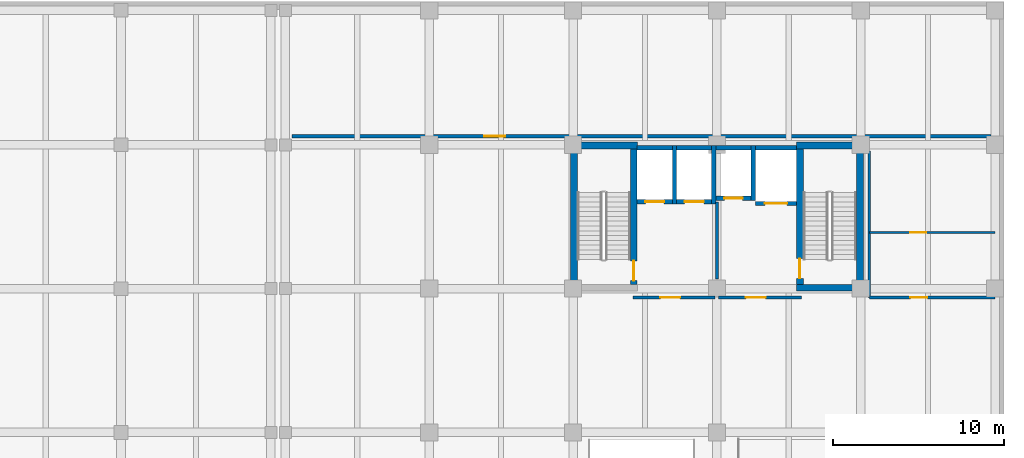
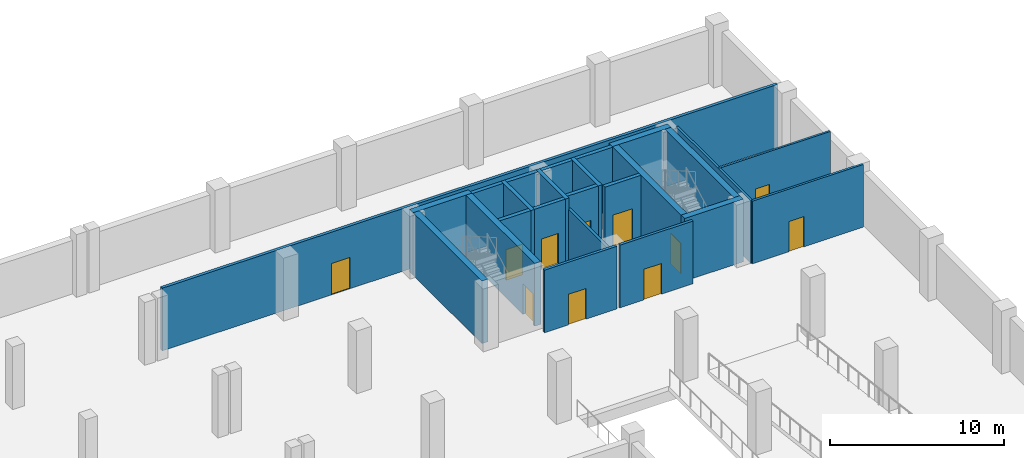
# One storey, part 13 of 17: 25 walls, 11 doors, 11 openings.
"""IFC4 building model written with IfcOpenShell, lengths in metres."""

from ifc_helpers import new_model, si_unit, direction, frame, frame_2d, origin, place, context, subcontext, project, spatial, rectangle, extrude, material, layer, layer_set, type_object, element, fill, save


model = new_model("IFC4")

# Units and contexts
model_context = context("Model", 3, precision=1e-05, world=origin(), true_north=direction((0.0, 1.0)))
body_context = subcontext(model_context, "Body", "Model", "MODEL_VIEW")
ifc_project = project(units=[si_unit("LENGTHUNIT", "METRE"), si_unit("AREAUNIT", "SQUARE_METRE"), si_unit("VOLUMEUNIT", "CUBIC_METRE"), si_unit("PLANEANGLEUNIT", "RADIAN"), si_unit("MASSUNIT", "GRAM", prefix="KILO")], contexts=[model_context])

# Site, building, storey
site_placement = place(None, origin())
site = spatial("IfcSite", under=ifc_project, at=site_placement, CompositionType="ELEMENT")
building_placement = place(site_placement, origin())
building = spatial("IfcBuilding", under=site, at=building_placement, Name="Brinegate Botanical Conservatory", CompositionType="ELEMENT")
storey_placement = place(building_placement, frame((0.0, 0.0, -4.800048828125)))
storey = spatial("IfcBuildingStorey", under=building, at=storey_placement, Name="B1", CompositionType="ELEMENT", Elevation=-4.800048828125)

# Wall, opening, door
ifc_material_1 = material(Name="Gypsum-clad steel-stud partition", Category="steel")
ifc_layer_1 = layer(ifc_material_1, 0.135009765625, Name="Gypsum-clad steel-stud partition", Category="steel")
ifc_layer_set_1 = layer_set([ifc_layer_1], Name="Gypsum-clad steel-stud partition")
wall_type_1 = type_object("IfcWallType", Name="Wall_PW-135", PredefinedType="PARTITIONING", material=ifc_layer_set_1)
wall_1_placement = place(storey_placement, frame((156.10009765625, 98.47998046875, 0.0), z_axis=(0.0, 0.0, 1.0), x_axis=(1.0, 0.0, 0.0)))
wall_1 = element("IfcWall", 1, at=wall_1_placement, inside=storey, type_object=wall_type_1, Name="Interior partition P-B1-WCD", PredefinedType="PARTITIONING", context=body_context, shape_type="SweptSolid", body=[
    extrude(rectangle(XDim=7.349853515625, YDim=0.135009765625, at=frame_2d((3.6748046875, 0.0))), origin(), (0.0, 0.0, 1.0), 4.39501953125),
])
opening_1_placement = place(wall_1_placement, frame((2.39990234375, 0.0, 0.0)))
opening_1 = element("IfcOpeningElement", 2, at=opening_1_placement, cuts=wall_1, Name="Opening DR-04", PredefinedType="OPENING", context=body_context, shape_type="SweptSolid", body=[
    extrude(rectangle(XDim=0.919921875, YDim=2.10009765625, at=frame_2d((0.4599609375, 1.050048828125))), frame((0.0, 0.077392578125, 0.0), z_axis=(0.0, -1.0, 0.0), x_axis=(1.0, 0.0, 0.0)), (0.0, 0.0, 1.0), 0.155029296875),
])
ifc_material_2 = material(Name="Moisture-resistant laminate timber leaf", Category="wood")
door_type_1 = type_object("IfcDoorType", Name="Door_DR-04", OperationType="NOTDEFINED", PredefinedType="DOOR", material=ifc_material_2)
door_1_placement = place(opening_1_placement, origin())
door_1 = element("IfcDoor", 3, at=door_1_placement, inside=storey, type_object=door_type_1, Name="DR-P-B1-WCD-1", OperationType="SINGLE_SWING_RIGHT", OverallHeight=2.10009765625, OverallWidth=0.919921875, PredefinedType="DOOR", context=body_context, shape_type="SweptSolid", body=[
    extrude(rectangle(XDim=0.919921875, YDim=2.10009765625, at=frame_2d((0.4599609375, 1.050048828125))), frame((0.0, 0.02490234375, 0.0), z_axis=(0.0, -1.0, 0.0), x_axis=(1.0, 0.0, 0.0)), (0.0, 0.0, 1.0), 0.050048828125),
])
fill(opening_1, door_1)

ifc_material_3 = material(Name="Moisture-resistant cement-board partition", Category="gypsum")
ifc_layer_2 = layer(ifc_material_3, 0.14990234375, Name="Moisture-resistant cement-board partition", Category="gypsum")
ifc_layer_set_2 = layer_set([ifc_layer_2], Name="Moisture-resistant cement-board partition")
wall_type_2 = type_object("IfcWallType", Name="Wall_PW-150W", PredefinedType="PARTITIONING", material=ifc_layer_set_2)
wall_2_placement = place(storey_placement, frame((156.10009765625, 94.679931640625, 0.0), z_axis=(0.0, 0.0, 1.0), x_axis=(1.0, 0.0, 0.0)))
wall_2 = element("IfcWall", 4, at=wall_2_placement, inside=storey, type_object=wall_type_2, Name="Interior partition P-B1-WCS", PredefinedType="PARTITIONING", context=body_context, shape_type="SweptSolid", body=[
    extrude(rectangle(XDim=7.349853515625, YDim=0.14990234375, at=frame_2d((3.6748046875, 0.0))), origin(), (0.0, 0.0, 1.0), 4.39501953125),
])
opening_2_placement = place(wall_2_placement, frame((2.39990234375, 0.0, 0.0)))
opening_2 = element("IfcOpeningElement", 5, at=opening_2_placement, cuts=wall_2, Name="Opening DR-ACC", PredefinedType="OPENING", context=body_context, shape_type="SweptSolid", body=[
    extrude(rectangle(XDim=1.0, YDim=2.1201171875, at=frame_2d((0.5, 1.06005859375))), frame((0.0, 0.0849609375, 0.0), z_axis=(0.0, -1.0, 0.0), x_axis=(1.0, 0.0, 0.0)), (0.0, 0.0, 1.0), 0.169921875),
])
ifc_material_4 = material(Name="Moisture-resistant barrier-free timber leaf", Category="wood")
door_type_2 = type_object("IfcDoorType", Name="Door_DR-ACC", OperationType="NOTDEFINED", PredefinedType="DOOR", material=ifc_material_4)
door_2_placement = place(opening_2_placement, origin())
door_2 = element("IfcDoor", 6, at=door_2_placement, inside=storey, type_object=door_type_2, Name="DR-P-B1-WCS-1", OperationType="SINGLE_SWING_LEFT", OverallHeight=2.1201171875, OverallWidth=1.0, PredefinedType="DOOR", context=body_context, shape_type="SweptSolid", body=[
    extrude(rectangle(XDim=1.0, YDim=2.1201171875, at=frame_2d((0.5, 1.06005859375))), frame((0.0, 0.02490234375, 0.0), z_axis=(0.0, -1.0, 0.0), x_axis=(1.0, 0.0, 0.0)), (0.0, 0.0, 1.0), 0.050048828125),
])
fill(opening_2, door_2)

# Wall
wall_3_placement = place(storey_placement, frame((156.10009765625, 94.679931640625, 0.0), z_axis=(0.0, 0.0, 1.0), x_axis=(0.0, 1.0, 0.0)))
element("IfcWall", 7, at=wall_3_placement, inside=storey, type_object=wall_type_2, Name="Interior partition P-B1-WCW", PredefinedType="PARTITIONING", context=body_context, shape_type="SweptSolid", body=[
    extrude(rectangle(XDim=8.570068359375, YDim=0.14990234375, at=frame_2d((4.28515625, 0.0))), origin(), (0.0, 0.0, 1.0), 4.39501953125),
])

# Wall, opening, door
ifc_material_5 = material(Name="Autoclaved aerated concrete C40/50 blockwork", Category="masonry")
ifc_layer_3 = layer(ifc_material_5, 0.179931640625, Name="Autoclaved aerated concrete C40/50 blockwork", Category="masonry")
ifc_layer_set_3 = layer_set([ifc_layer_3], Name="Autoclaved aerated concrete C40/50 blockwork")
wall_type_3 = type_object("IfcWallType", Name="Wall_PW-180F", PredefinedType="STANDARD", material=ifc_layer_set_3)
wall_4_placement = place(storey_placement, frame((142.300048828125, 94.679931640625, 0.0), z_axis=(0.0, 0.0, 1.0), x_axis=(1.0, 0.0, 0.0)))
wall_4 = element("IfcWall", 8, at=wall_4_placement, inside=storey, type_object=wall_type_3, Name="Interior partition P-B1-CORE-FF", PredefinedType="STANDARD", context=body_context, shape_type="SweptSolid", body=[
    extrude(rectangle(XDim=4.800048828125, YDim=0.179931640625, at=frame_2d((2.39990234375, 0.0))), origin(), (0.0, 0.0, 1.0), 4.39501953125),
])
opening_3_placement = place(wall_4_placement, frame((1.60009765625, 0.0, 0.0)))
opening_3 = element("IfcOpeningElement", 9, at=opening_3_placement, cuts=wall_4, Name="Opening FD-B1", PredefinedType="OPENING", context=body_context, shape_type="SweptSolid", body=[
    extrude(rectangle(XDim=1.14990234375, YDim=2.14990234375, at=frame_2d((0.574951171875, 1.074951171875))), frame((0.0, 0.099853515625, 0.0), z_axis=(0.0, -1.0, 0.0), x_axis=(1.0, 0.0, 0.0)), (0.0, 0.0, 1.0), 0.199951171875),
])
ifc_material_6 = material(Name="Steel smoke-proof fire door assembly", Category="steel")
door_type_3 = type_object("IfcDoorType", Name="Door_FD-B1", OperationType="NOTDEFINED", PredefinedType="DOOR", material=ifc_material_6)
door_3_placement = place(opening_3_placement, origin())
door_3 = element("IfcDoor", 10, at=door_3_placement, inside=storey, type_object=door_type_3, Name="DR-P-B1-CORE-FF-1", OperationType="SINGLE_SWING_LEFT", OverallHeight=2.14990234375, OverallWidth=1.14990234375, PredefinedType="DOOR", context=body_context, shape_type="SweptSolid", body=[
    extrude(rectangle(XDim=1.14990234375, YDim=2.14990234375, at=frame_2d((0.574951171875, 1.074951171875))), frame((0.0, 0.02490234375, 0.0), z_axis=(0.0, -1.0, 0.0), x_axis=(1.0, 0.0, 0.0)), (0.0, 0.0, 1.0), 0.050048828125),
])
fill(opening_3, door_3)

wall_5_placement = place(storey_placement, frame((147.300048828125, 94.679931640625, 0.0), z_axis=(0.0, 0.0, 1.0), x_axis=(1.0, 0.0, 0.0)))
wall_5 = element("IfcWall", 11, at=wall_5_placement, inside=storey, type_object=wall_type_3, Name="Interior partition P-B1-CORE-PAX", PredefinedType="STANDARD", context=body_context, shape_type="SweptSolid", body=[
    extrude(rectangle(XDim=4.849853515625, YDim=0.179931640625, at=frame_2d((2.4248046875, 0.0))), origin(), (0.0, 0.0, 1.0), 4.39501953125),
])
opening_4_placement = place(wall_5_placement, frame((1.60009765625, 0.0, 0.0)))
opening_4 = element("IfcOpeningElement", 12, at=opening_4_placement, cuts=wall_5, Name="Opening FD-B1", PredefinedType="OPENING", context=body_context, shape_type="SweptSolid", body=[
    extrude(rectangle(XDim=1.14990234375, YDim=2.14990234375, at=frame_2d((0.574951171875, 1.074951171875))), frame((0.0, 0.099853515625, 0.0), z_axis=(0.0, -1.0, 0.0), x_axis=(1.0, 0.0, 0.0)), (0.0, 0.0, 1.0), 0.199951171875),
])
door_4_placement = place(opening_4_placement, origin())
door_4 = element("IfcDoor", 13, at=door_4_placement, inside=storey, type_object=door_type_3, Name="DR-P-B1-CORE-PAX-1", OperationType="SINGLE_SWING_RIGHT", OverallHeight=2.14990234375, OverallWidth=1.14990234375, PredefinedType="DOOR", context=body_context, shape_type="SweptSolid", body=[
    extrude(rectangle(XDim=1.14990234375, YDim=2.14990234375, at=frame_2d((0.574951171875, 1.074951171875))), frame((0.0, 0.02490234375, 0.0), z_axis=(0.0, -1.0, 0.0), x_axis=(1.0, 0.0, 0.0)), (0.0, 0.0, 1.0), 0.050048828125),
])
fill(opening_4, door_4)

# Wall
wall_6_placement = place(storey_placement, frame((147.199951171875, 95.75, 0.0), z_axis=(0.0, 0.0, 1.0), x_axis=(0.0, 1.0, 0.0)))
element("IfcWall", 14, at=wall_6_placement, inside=storey, type_object=wall_type_3, Name="Interior partition P-B1-CORE-DIV", PredefinedType="STANDARD", context=body_context, shape_type="SweptSolid", body=[
    extrude(rectangle(XDim=4.5, YDim=0.179931640625, at=frame_2d((2.25, 0.0))), origin(), (0.0, 0.0, 1.0), 3.594970703125),
])

# Wall, opening, door
ifc_layer_4 = layer(ifc_material_5, 0.199951171875, Name="Autoclaved aerated concrete C40/50 blockwork", Category="masonry")
ifc_layer_set_4 = layer_set([ifc_layer_4], Name="Autoclaved aerated concrete C40/50 blockwork")
wall_type_4 = type_object("IfcWallType", Name="Wall_PW-200F", PredefinedType="SOLIDWALL", material=ifc_layer_set_4)
wall_7_placement = place(storey_placement, frame((122.39990234375, 104.10009765625, 0.0), z_axis=(0.0, 0.0, 1.0), x_axis=(1.0, 0.0, 0.0)))
wall_7 = element("IfcWall", 15, at=wall_7_placement, inside=storey, type_object=wall_type_4, Name="Interior partition P-B1-QUAR", PredefinedType="SOLIDWALL", context=body_context, shape_type="SweptSolid", body=[
    extrude(rectangle(XDim=40.800048828125, YDim=0.199951171875, at=frame_2d((20.39990234375, 0.0))), origin(), (0.0, 0.0, 1.0), 4.39501953125),
])
opening_5_placement = place(wall_7_placement, frame((11.199951171875, 0.0, 0.0)))
opening_5 = element("IfcOpeningElement", 16, at=opening_5_placement, cuts=wall_7, Name="Opening FD-A1", PredefinedType="OPENING", context=body_context, shape_type="SweptSolid", body=[
    extrude(rectangle(XDim=1.25, YDim=2.199951171875, at=frame_2d((0.625, 1.10009765625))), frame((0.0, 0.10986328125, 0.0), z_axis=(0.0, -1.0, 0.0), x_axis=(1.0, 0.0, 0.0)), (0.0, 0.0, 1.0), 0.219970703125),
])
ifc_material_7 = material(Name="Steel fire-rated assembly", Category="steel")
door_type_4 = type_object("IfcDoorType", Name="Door_FD-A1", OperationType="NOTDEFINED", PredefinedType="DOOR", material=ifc_material_7)
door_5_placement = place(opening_5_placement, origin())
door_5 = element("IfcDoor", 17, at=door_5_placement, inside=storey, type_object=door_type_4, Name="DR-P-B1-QUAR-1", OperationType="SINGLE_SWING_LEFT", OverallHeight=2.199951171875, OverallWidth=1.25, PredefinedType="DOOR", context=body_context, shape_type="SweptSolid", body=[
    extrude(rectangle(XDim=1.25, YDim=2.199951171875, at=frame_2d((0.625, 1.10009765625))), frame((0.0, 0.02490234375, 0.0), z_axis=(0.0, -1.0, 0.0), x_axis=(1.0, 0.0, 0.0)), (0.0, 0.0, 1.0), 0.050048828125),
])
fill(opening_5, door_5)

ifc_material_8 = material(Name="Concrete C40/50", Category="concrete")
ifc_layer_5 = layer(ifc_material_8, 0.25, Name="Concrete C40/50", Category="concrete")
ifc_layer_set_5 = layer_set([ifc_layer_5], Name="Concrete C40/50")
wall_type_5 = type_object("IfcWallType", Name="Wall_SW-250", PredefinedType="SHEAR", material=ifc_layer_set_5)
wall_8_placement = place(storey_placement, frame((142.550048828125, 100.27490234375, 0.0), z_axis=(0.0, 0.0, 1.0), x_axis=(1.0, 0.0, 0.0)))
wall_8 = element("IfcWall", 18, at=wall_8_placement, inside=storey, type_object=wall_type_5, Name="Lift shaft LF1 shear wall B1 S", PredefinedType="SHEAR", context=body_context, shape_type="SweptSolid", body=[
    extrude(rectangle(XDim=2.050048828125, YDim=0.25, at=frame_2d((1.02490234375, 0.0))), origin(), (0.0, 0.0, 1.0), 4.39501953125),
])
opening_6_placement = place(wall_8_placement, frame((0.47509765625, 0.0, 0.0)))
opening_6 = element("IfcOpeningElement", 19, at=opening_6_placement, cuts=wall_8, Name="Opening LD-01", PredefinedType="OPENING", context=body_context, shape_type="SweptSolid", body=[
    extrude(rectangle(XDim=1.10009765625, YDim=2.14990234375, at=frame_2d((0.550048828125, 1.074951171875))), frame((0.0, 0.135009765625, 0.0), z_axis=(0.0, -1.0, 0.0), x_axis=(1.0, 0.0, 0.0)), (0.0, 0.0, 1.0), 0.27001953125),
])
ifc_material_9 = material(Name="Brushed stainless steel S355 landing door", Category="steel")
door_type_5 = type_object("IfcDoorType", Name="Door_LD-01", OperationType="SLIDING_TO_LEFT", PredefinedType="DOOR", material=ifc_material_9)
door_6_placement = place(opening_6_placement, origin())
door_6 = element("IfcDoor", 20, at=door_6_placement, inside=storey, type_object=door_type_5, Name="LD-LF1-B1", OperationType="SLIDING_TO_LEFT", OverallHeight=2.14990234375, OverallWidth=1.10009765625, PredefinedType="DOOR", context=body_context, shape_type="SweptSolid", body=[
    extrude(rectangle(XDim=1.10009765625, YDim=2.14990234375, at=frame_2d((0.550048828125, 1.074951171875))), frame((0.0, 0.02490234375, 0.0), z_axis=(0.0, -1.0, 0.0), x_axis=(1.0, 0.0, 0.0)), (0.0, 0.0, 1.0), 0.050048828125),
])
fill(opening_6, door_6)

# Walls
wall_9_placement = place(storey_placement, frame((142.550048828125, 103.425048828125, 0.0), z_axis=(0.0, 0.0, 1.0), x_axis=(1.0, 0.0, 0.0)))
element("IfcWall", 21, at=wall_9_placement, inside=storey, type_object=wall_type_5, Name="Lift shaft LF1 shear wall B1 N", PredefinedType="SHEAR", context=body_context, shape_type="SweptSolid", body=[
    extrude(rectangle(XDim=2.050048828125, YDim=0.25, at=frame_2d((1.02490234375, 0.0))), origin(), (0.0, 0.0, 1.0), 4.39501953125),
])
wall_10_placement = place(storey_placement, frame((144.72509765625, 100.14990234375, 0.0), z_axis=(0.0, 0.0, 1.0), x_axis=(0.0, 1.0, 0.0)))
element("IfcWall", 22, at=wall_10_placement, inside=storey, type_object=wall_type_5, Name="Lift shaft LF1 shear wall B1 E", PredefinedType="SHEAR", context=body_context, shape_type="SweptSolid", body=[
    extrude(rectangle(XDim=3.400146484375, YDim=0.25, at=frame_2d((1.7001953125, 0.0))), origin(), (0.0, 0.0, 1.0), 4.39501953125),
])

# Wall, opening, door
wall_11_placement = place(storey_placement, frame((144.85009765625, 100.27490234375, 0.0), z_axis=(0.0, 0.0, 1.0), x_axis=(1.0, 0.0, 0.0)))
wall_11 = element("IfcWall", 23, at=wall_11_placement, inside=storey, type_object=wall_type_5, Name="Lift shaft LF2 shear wall B1 S", PredefinedType="SHEAR", context=body_context, shape_type="SweptSolid", body=[
    extrude(rectangle(XDim=2.0498046875, YDim=0.25, at=frame_2d((1.02490234375, 0.0))), origin(), (0.0, 0.0, 1.0), 4.39501953125),
])
opening_7_placement = place(wall_11_placement, frame((0.465087890625, 0.0, 0.0)))
opening_7 = element("IfcOpeningElement", 24, at=opening_7_placement, cuts=wall_11, Name="Opening LD-02", PredefinedType="OPENING", context=body_context, shape_type="SweptSolid", body=[
    extrude(rectangle(XDim=1.1201171875, YDim=2.14990234375, at=frame_2d((0.56005859375, 1.074951171875))), frame((0.0, 0.135009765625, 0.0), z_axis=(0.0, -1.0, 0.0), x_axis=(1.0, 0.0, 0.0)), (0.0, 0.0, 1.0), 0.27001953125),
])
door_type_6 = type_object("IfcDoorType", Name="Door_LD-02", OperationType="SLIDING_TO_LEFT", PredefinedType="DOOR", material=ifc_material_9)
door_7_placement = place(opening_7_placement, origin())
door_7 = element("IfcDoor", 25, at=door_7_placement, inside=storey, type_object=door_type_6, Name="LD-LF2-B1", OperationType="SLIDING_TO_LEFT", OverallHeight=2.14990234375, OverallWidth=1.1201171875, PredefinedType="DOOR", context=body_context, shape_type="SweptSolid", body=[
    extrude(rectangle(XDim=1.1201171875, YDim=2.14990234375, at=frame_2d((0.56005859375, 1.074951171875))), frame((0.0, 0.02490234375, 0.0), z_axis=(0.0, -1.0, 0.0), x_axis=(1.0, 0.0, 0.0)), (0.0, 0.0, 1.0), 0.050048828125),
])
fill(opening_7, door_7)

# Walls
wall_12_placement = place(storey_placement, frame((144.85009765625, 103.425048828125, 0.0), z_axis=(0.0, 0.0, 1.0), x_axis=(1.0, 0.0, 0.0)))
element("IfcWall", 26, at=wall_12_placement, inside=storey, type_object=wall_type_5, Name="Lift shaft LF2 shear wall B1 N", PredefinedType="SHEAR", context=body_context, shape_type="SweptSolid", body=[
    extrude(rectangle(XDim=2.0498046875, YDim=0.25, at=frame_2d((1.02490234375, 0.0))), origin(), (0.0, 0.0, 1.0), 4.39501953125),
])
wall_13_placement = place(storey_placement, frame((147.02490234375, 100.14990234375, 0.0), z_axis=(0.0, 0.0, 1.0), x_axis=(0.0, 1.0, 0.0)))
element("IfcWall", 27, at=wall_13_placement, inside=storey, type_object=wall_type_5, Name="Lift shaft LF2 shear wall B1 E", PredefinedType="SHEAR", context=body_context, shape_type="SweptSolid", body=[
    extrude(rectangle(XDim=3.400146484375, YDim=0.25, at=frame_2d((1.7001953125, 0.0))), origin(), (0.0, 0.0, 1.0), 4.39501953125),
])

# Wall, opening, door
wall_14_placement = place(storey_placement, frame((147.14990234375, 100.47509765625, 0.0), z_axis=(0.0, 0.0, 1.0), x_axis=(1.0, 0.0, 0.0)))
wall_14 = element("IfcWall", 28, at=wall_14_placement, inside=storey, type_object=wall_type_5, Name="Lift shaft LF3 shear wall B1 S", PredefinedType="SHEAR", context=body_context, shape_type="SweptSolid", body=[
    extrude(rectangle(XDim=2.050048828125, YDim=0.25, at=frame_2d((1.02490234375, 0.0))), origin(), (0.0, 0.0, 1.0), 4.39501953125),
])
opening_8_placement = place(wall_14_placement, frame((0.4951171875, 0.0, 0.0)))
opening_8 = element("IfcOpeningElement", 29, at=opening_8_placement, cuts=wall_14, Name="Opening LD-03", PredefinedType="OPENING", context=body_context, shape_type="SweptSolid", body=[
    extrude(rectangle(XDim=1.06005859375, YDim=2.14990234375, at=frame_2d((0.530029296875, 1.074951171875))), frame((0.0, 0.135009765625, 0.0), z_axis=(0.0, -1.0, 0.0), x_axis=(1.0, 0.0, 0.0)), (0.0, 0.0, 1.0), 0.27001953125),
])
door_type_7 = type_object("IfcDoorType", Name="Door_LD-03", OperationType="SLIDING_TO_LEFT", PredefinedType="DOOR", material=ifc_material_9)
door_8_placement = place(opening_8_placement, origin())
door_8 = element("IfcDoor", 30, at=door_8_placement, inside=storey, type_object=door_type_7, Name="LD-LF3-B1", OperationType="SLIDING_TO_LEFT", OverallHeight=2.14990234375, OverallWidth=1.06005859375, PredefinedType="DOOR", context=body_context, shape_type="SweptSolid", body=[
    extrude(rectangle(XDim=1.06005859375, YDim=2.14990234375, at=frame_2d((0.530029296875, 1.074951171875))), frame((0.0, 0.02490234375, 0.0), z_axis=(0.0, -1.0, 0.0), x_axis=(1.0, 0.0, 0.0)), (0.0, 0.0, 1.0), 0.050048828125),
])
fill(opening_8, door_8)

# Walls
wall_15_placement = place(storey_placement, frame((147.14990234375, 103.425048828125, 0.0), z_axis=(0.0, 0.0, 1.0), x_axis=(1.0, 0.0, 0.0)))
element("IfcWall", 31, at=wall_15_placement, inside=storey, type_object=wall_type_5, Name="Lift shaft LF3 shear wall B1 N", PredefinedType="SHEAR", context=body_context, shape_type="SweptSolid", body=[
    extrude(rectangle(XDim=2.050048828125, YDim=0.25, at=frame_2d((1.02490234375, 0.0))), origin(), (0.0, 0.0, 1.0), 4.39501953125),
])
wall_16_placement = place(storey_placement, frame((149.324951171875, 100.35009765625, 0.0), z_axis=(0.0, 0.0, 1.0), x_axis=(0.0, 1.0, 0.0)))
element("IfcWall", 32, at=wall_16_placement, inside=storey, type_object=wall_type_5, Name="Lift shaft LF3 shear wall B1 E", PredefinedType="SHEAR", context=body_context, shape_type="SweptSolid", body=[
    extrude(rectangle(XDim=3.199951171875, YDim=0.25, at=frame_2d((1.60009765625, 0.0))), origin(), (0.0, 0.0, 1.0), 4.39501953125),
])

# Wall, opening, door
wall_17_placement = place(storey_placement, frame((149.449951171875, 100.175048828125, 0.0), z_axis=(0.0, 0.0, 1.0), x_axis=(1.0, 0.0, 0.0)))
wall_17 = element("IfcWall", 33, at=wall_17_placement, inside=storey, type_object=wall_type_5, Name="Lift shaft LF4 shear wall B1 S", PredefinedType="SHEAR", context=body_context, shape_type="SweptSolid", body=[
    extrude(rectangle(XDim=2.400146484375, YDim=0.25, at=frame_2d((1.2001953125, 0.0))), origin(), (0.0, 0.0, 1.0), 4.39501953125),
])
opening_9_placement = place(wall_17_placement, frame((0.550048828125, 0.0, 0.0)))
opening_9 = element("IfcOpeningElement", 34, at=opening_9_placement, cuts=wall_17, Name="Opening LD-04", PredefinedType="OPENING", context=body_context, shape_type="SweptSolid", body=[
    extrude(rectangle(XDim=1.300048828125, YDim=2.25, at=frame_2d((0.64990234375, 1.125))), frame((0.0, 0.135009765625, 0.0), z_axis=(0.0, -1.0, 0.0), x_axis=(1.0, 0.0, 0.0)), (0.0, 0.0, 1.0), 0.27001953125),
])
door_type_8 = type_object("IfcDoorType", Name="Door_LD-04", OperationType="SLIDING_TO_LEFT", PredefinedType="DOOR", material=ifc_material_9)
door_9_placement = place(opening_9_placement, origin())
door_9 = element("IfcDoor", 35, at=door_9_placement, inside=storey, type_object=door_type_8, Name="LD-LF4-B1", OperationType="SLIDING_TO_LEFT", OverallHeight=2.25, OverallWidth=1.300048828125, PredefinedType="DOOR", context=body_context, shape_type="SweptSolid", body=[
    extrude(rectangle(XDim=1.300048828125, YDim=2.25, at=frame_2d((0.64990234375, 1.125))), frame((0.0, 0.02490234375, 0.0), z_axis=(0.0, -1.0, 0.0), x_axis=(1.0, 0.0, 0.0)), (0.0, 0.0, 1.0), 0.050048828125),
])
fill(opening_9, door_9)

# Walls
wall_18_placement = place(storey_placement, frame((149.449951171875, 103.425048828125, 0.0), z_axis=(0.0, 0.0, 1.0), x_axis=(1.0, 0.0, 0.0)))
element("IfcWall", 36, at=wall_18_placement, inside=storey, type_object=wall_type_5, Name="Lift shaft LF4 shear wall B1 N", PredefinedType="SHEAR", context=body_context, shape_type="SweptSolid", body=[
    extrude(rectangle(XDim=2.400146484375, YDim=0.25, at=frame_2d((1.2001953125, 0.0))), origin(), (0.0, 0.0, 1.0), 4.39501953125),
])
ifc_material_10 = material(Name="Concrete C50/60", Category="concrete")
ifc_layer_6 = layer(ifc_material_10, 0.39990234375, Name="Concrete C50/60", Category="concrete")
ifc_layer_set_6 = layer_set([ifc_layer_6], Name="Concrete C50/60")
wall_type_6 = type_object("IfcWallType", Name="Wall_SW-400", PredefinedType="SHEAR", material=ifc_layer_set_6)
wall_19_placement = place(storey_placement, frame((138.64990234375, 103.550048828125, 0.0), z_axis=(0.0, 0.0, 1.0), x_axis=(1.0, 0.0, 0.0)))
element("IfcWall", 37, at=wall_19_placement, inside=storey, type_object=wall_type_6, Name="Stairwell ST1 shear wall B1 N", PredefinedType="SHEAR", context=body_context, shape_type="SweptSolid", body=[
    extrude(rectangle(XDim=3.900146484375, YDim=0.39990234375, at=frame_2d((1.9501953125, 0.0))), origin(), (0.0, 0.0, 1.0), 4.39501953125),
])
wall_20_placement = place(storey_placement, frame((138.85009765625, 95.449951171875, 0.0), z_axis=(0.0, 0.0, 1.0), x_axis=(0.0, 1.0, 0.0)))
element("IfcWall", 38, at=wall_20_placement, inside=storey, type_object=wall_type_6, Name="Stairwell ST1 shear wall B1 W", PredefinedType="SHEAR", context=body_context, shape_type="SweptSolid", body=[
    extrude(rectangle(XDim=7.900146484375, YDim=0.39990234375, at=frame_2d((3.9501953125, 0.0))), origin(), (0.0, 0.0, 1.0), 4.39501953125),
])

# Wall, opening, door
wall_21_placement = place(storey_placement, frame((142.35009765625, 95.449951171875, 0.0), z_axis=(0.0, 0.0, 1.0), x_axis=(0.0, 1.0, 0.0)))
wall_21 = element("IfcWall", 39, at=wall_21_placement, inside=storey, type_object=wall_type_6, Name="Stairwell ST1 shear wall B1 E", PredefinedType="SHEAR", context=body_context, shape_type="SweptSolid", body=[
    extrude(rectangle(XDim=7.900146484375, YDim=0.39990234375, at=frame_2d((3.9501953125, 0.0))), origin(), (0.0, 0.0, 1.0), 4.39501953125),
])
opening_10_placement = place(wall_21_placement, frame((0.219970703125, 0.0, 0.0)))
opening_10 = element("IfcOpeningElement", 40, at=opening_10_placement, cuts=wall_21, Name="Opening FD-B4", PredefinedType="OPENING", context=body_context, shape_type="SweptSolid", body=[
    extrude(rectangle(XDim=1.14990234375, YDim=2.14990234375, at=frame_2d((0.574951171875, 1.074951171875))), frame((0.0, 0.2099609375, 0.0), z_axis=(0.0, -1.0, 0.0), x_axis=(1.0, 0.0, 0.0)), (0.0, 0.0, 1.0), 0.419921875),
])
ifc_material_11 = material(Name="Steel stairwell fire door", Category="steel")
door_type_9 = type_object("IfcDoorType", Name="Door_FD-B4", OperationType="NOTDEFINED", PredefinedType="DOOR", material=ifc_material_11)
door_10_placement = place(opening_10_placement, origin())
door_10 = element("IfcDoor", 41, at=door_10_placement, inside=storey, type_object=door_type_9, Name="DR-ST-ST1-B1", OperationType="SINGLE_SWING_RIGHT", OverallHeight=2.14990234375, OverallWidth=1.14990234375, PredefinedType="DOOR", context=body_context, shape_type="SweptSolid", body=[
    extrude(rectangle(XDim=1.14990234375, YDim=2.14990234375, at=frame_2d((0.574951171875, 1.074951171875))), frame((0.0, 0.02490234375, 0.0), z_axis=(0.0, -1.0, 0.0), x_axis=(1.0, 0.0, 0.0)), (0.0, 0.0, 1.0), 0.050048828125),
])
fill(opening_10, door_10)

# Walls
for number, where, z_axis, x_axis, name in (
    (42, (151.85009765625, 95.25, 0.0), (0.0, 0.0, 1.0), (1.0, 0.0, 0.0), "Stairwell ST2 shear wall B1 S"),
    (43, (151.85009765625, 103.550048828125, 0.0), (0.0, 0.0, 1.0), (1.0, 0.0, 0.0), "Stairwell ST2 shear wall B1 N"),
):
    element("IfcWall", number, at=place(storey_placement, frame(where, z_axis=z_axis, x_axis=x_axis)), inside=storey, type_object=wall_type_6, Name=name, PredefinedType="SHEAR", context=body_context, shape_type="SweptSolid", body=[
        extrude(rectangle(XDim=3.89990234375, YDim=0.39990234375, at=frame_2d((1.949951171875, 0.0))), origin(), (0.0, 0.0, 1.0), 4.39501953125),
    ])

# Wall, opening, door
wall_22_placement = place(storey_placement, frame((152.050048828125, 95.449951171875, 0.0), z_axis=(0.0, 0.0, 1.0), x_axis=(0.0, 1.0, 0.0)))
wall_22 = element("IfcWall", 44, at=wall_22_placement, inside=storey, type_object=wall_type_6, Name="Stairwell ST2 shear wall B1 W", PredefinedType="SHEAR", context=body_context, shape_type="SweptSolid", body=[
    extrude(rectangle(XDim=7.900146484375, YDim=0.39990234375, at=frame_2d((3.9501953125, 0.0))), origin(), (0.0, 0.0, 1.0), 4.39501953125),
])
opening_11_placement = place(wall_22_placement, frame((0.35009765625, 0.0, 0.0)))
opening_11 = element("IfcOpeningElement", 45, at=opening_11_placement, cuts=wall_22, Name="Opening FD-B4", PredefinedType="OPENING", context=body_context, shape_type="SweptSolid", body=[
    extrude(rectangle(XDim=1.14990234375, YDim=2.14990234375, at=frame_2d((0.574951171875, 1.074951171875))), frame((0.0, 0.2099609375, 0.0), z_axis=(0.0, -1.0, 0.0), x_axis=(1.0, 0.0, 0.0)), (0.0, 0.0, 1.0), 0.419921875),
])
door_11_placement = place(opening_11_placement, origin())
door_11 = element("IfcDoor", 46, at=door_11_placement, inside=storey, type_object=door_type_9, Name="DR-ST-ST2-B1", OperationType="SINGLE_SWING_RIGHT", OverallHeight=2.14990234375, OverallWidth=1.14990234375, PredefinedType="DOOR", context=body_context, shape_type="SweptSolid", body=[
    extrude(rectangle(XDim=1.14990234375, YDim=2.14990234375, at=frame_2d((0.574951171875, 1.074951171875))), frame((0.0, 0.02490234375, 0.0), z_axis=(0.0, -1.0, 0.0), x_axis=(1.0, 0.0, 0.0)), (0.0, 0.0, 1.0), 0.050048828125),
])
fill(opening_11, door_11)

# Wall
wall_23_placement = place(storey_placement, frame((155.550048828125, 95.449951171875, 0.0), z_axis=(0.0, 0.0, 1.0), x_axis=(0.0, 1.0, 0.0)))
element("IfcWall", 47, at=wall_23_placement, inside=storey, type_object=wall_type_6, Name="Stairwell ST2 shear wall B1 E", PredefinedType="SHEAR", context=body_context, shape_type="SweptSolid", body=[
    extrude(rectangle(XDim=7.900146484375, YDim=0.39990234375, at=frame_2d((3.9501953125, 0.0))), origin(), (0.0, 0.0, 1.0), 4.39501953125),
])

save(model, "model.ifc")
